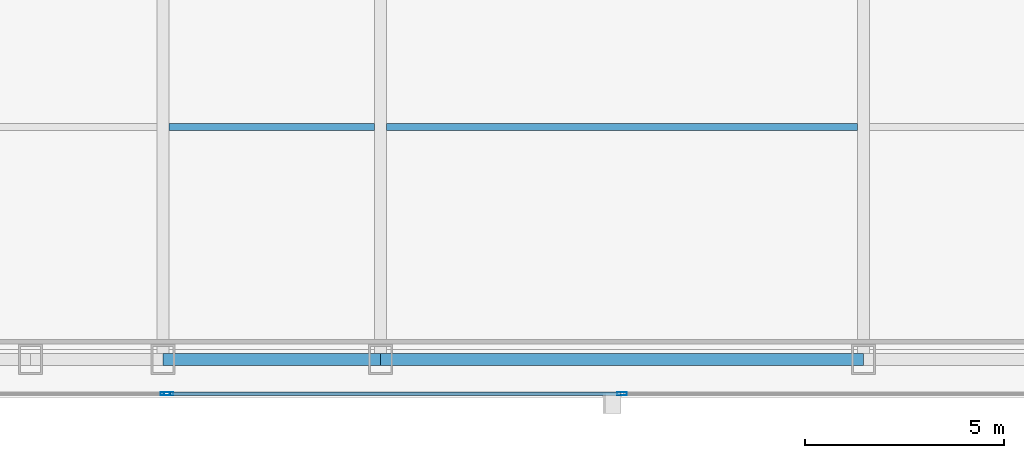
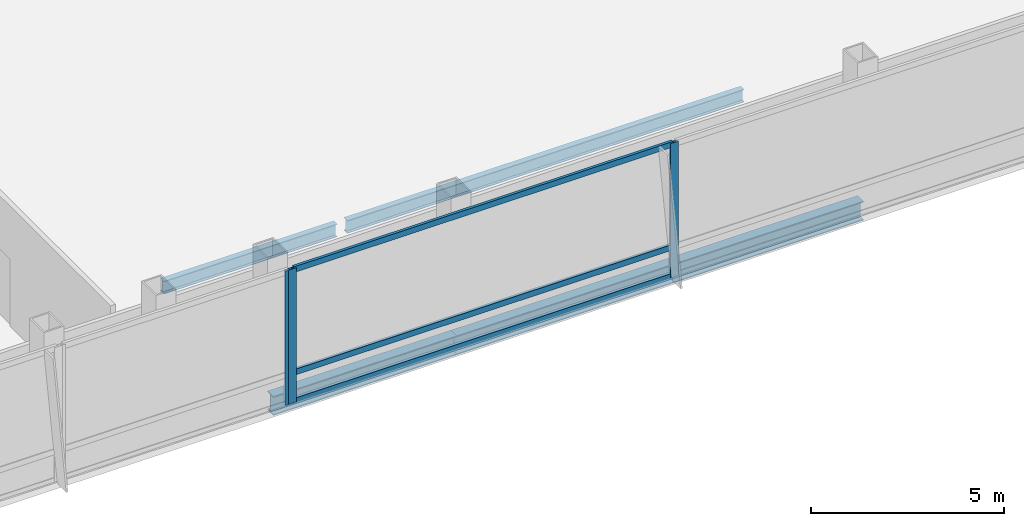
# One storey, part 8 of 28: 6 members, 4 beams, 2 elements without a shape of their own.
"""IFC4 building model written with IfcOpenShell, lengths in metres."""

from ifc_helpers import new_model, si_unit, direction, frame, origin, origin_2d, place, context, subcontext, project, spatial, hollow_rectangle, i_section, extrude, material, material_profile, profile_set, type_object, element, aggregate, save


model = new_model("IFC4")

# Units and contexts
model_context = context("Model", 3, precision=1e-05, world=origin(), true_north=direction((0.0, 1.0)))
body_context = subcontext(model_context, "Body", "Model", "MODEL_VIEW")
ifc_project = project(units=[si_unit("LENGTHUNIT", "METRE"), si_unit("AREAUNIT", "SQUARE_METRE"), si_unit("VOLUMEUNIT", "CUBIC_METRE"), si_unit("PLANEANGLEUNIT", "RADIAN"), si_unit("MASSUNIT", "GRAM", prefix="KILO")], contexts=[model_context])

# Site, building, storey
site_placement = place(None, origin())
site = spatial("IfcSite", under=ifc_project, at=site_placement, CompositionType="ELEMENT")
building_placement = place(site_placement, origin())
building = spatial("IfcBuilding", under=site, at=building_placement, Name="Khoronbel Lancet Exchange", CompositionType="ELEMENT")
storey_placement = place(building_placement, frame((0.0, 0.0, 265.39990234375)))
storey = spatial("IfcBuildingStorey", under=building, at=storey_placement, Name="L68", CompositionType="ELEMENT", Elevation=265.39990234375)

# Beams
ifc_material_1 = material(Name="Steel S355", Category="steel")
ifc_material_profile_1 = material_profile(ifc_material_1, i_section(OverallWidth=0.179931640625, OverallDepth=0.39990234375, WebThickness=0.008544921875, FlangeThickness=0.013427734375, at=origin_2d()), Name="IPE 400")
ifc_profile_set_1 = profile_set([ifc_material_profile_1], Name="Steel S355")
beam_type_1 = type_object("IfcBeamType", Name="BM-BJ5", PredefinedType="JOIST", material=ifc_profile_set_1)
beam_1_placement = place(storey_placement, frame((25.050048828125, 16.0, -0.39990234375), z_axis=(1.0, 0.0, 0.0), x_axis=(0.0, 1.0, 0.0)))
element("IfcBeam", 1, at=beam_1_placement, inside=storey, type_object=beam_type_1, Name="Level L68 secondary composite joist J02", PredefinedType="JOIST", context=body_context, shape_type="SweptSolid", body=[
    extrude(i_section(OverallWidth=0.179931640625, OverallDepth=0.39990234375, WebThickness=0.008544921875, FlangeThickness=0.013427734375, at=origin_2d()), origin(), (0.0, 0.0, 1.0), 5.175048828125),
])
beam_2_placement = place(storey_placement, frame((30.52490234375, 16.0, -0.39990234375), z_axis=(1.0, 0.0, 0.0), x_axis=(0.0, 1.0, 0.0)))
element("IfcBeam", 2, at=beam_2_placement, inside=storey, type_object=beam_type_1, Name="Level L68 secondary composite joist J03", PredefinedType="JOIST", context=body_context, shape_type="SweptSolid", body=[
    extrude(i_section(OverallWidth=0.179931640625, OverallDepth=0.39990234375, WebThickness=0.008544921875, FlangeThickness=0.013427734375, at=origin_2d()), origin(), (0.0, 0.0, 1.0), 11.85009765625),
])
ifc_material_profile_2 = material_profile(ifc_material_1, i_section(OverallWidth=0.300048828125, OverallDepth=0.60009765625, WebThickness=0.015380859375, FlangeThickness=0.030029296875, at=origin_2d()), Name="HEB 600")
ifc_profile_set_2 = profile_set([ifc_material_profile_2], Name="Steel S355")
beam_type_2 = type_object("IfcBeamType", Name="BM-BSP2", PredefinedType="SPANDREL", material=ifc_profile_set_2)
beam_3_placement = place(storey_placement, frame((24.89990234375, 10.14990234375, -0.5), z_axis=(1.0, 0.0, 0.0), x_axis=(0.0, 1.0, 0.0)))
element("IfcBeam", 3, at=beam_3_placement, inside=storey, type_object=beam_type_2, Name="Level L68 perimeter spandrel beam SP04", PredefinedType="SPANDREL", context=body_context, shape_type="SweptSolid", body=[
    extrude(i_section(OverallWidth=0.300048828125, OverallDepth=0.60009765625, WebThickness=0.015380859375, FlangeThickness=0.030029296875, at=origin_2d()), origin(), (0.0, 0.0, 1.0), 5.47509765625),
])
beam_4_placement = place(storey_placement, frame((30.375, 10.14990234375, -0.5), z_axis=(1.0, 0.0, 0.0), x_axis=(0.0, 1.0, 0.0)))
element("IfcBeam", 4, at=beam_4_placement, inside=storey, type_object=beam_type_2, Name="Level L68 perimeter spandrel beam SP05", PredefinedType="SPANDREL", context=body_context, shape_type="SweptSolid", body=[
    extrude(i_section(OverallWidth=0.300048828125, OverallDepth=0.60009765625, WebThickness=0.015380859375, FlangeThickness=0.030029296875, at=origin_2d()), origin(), (0.0, 0.0, 1.0), 12.14990234375),
])

# Curtain wall, member
ifc_material_2 = material(Name="Low-E Solar Control Insulating Glass", Category="glass")
curtain_wall_type = type_object("IfcCurtainWallType", Name="CW-3", PredefinedType="NOTDEFINED", material=ifc_material_2)
curtain_wall_1_placement = place(storey_placement, origin())
curtain_wall_1 = element("IfcCurtainWall", 5, at=curtain_wall_1_placement, inside=storey, type_object=curtain_wall_type, Name="Unitised curtain wall CW-L68-SWB", PredefinedType="NOTDEFINED")
ifc_material_3 = material(Name="Bronze-Anodised Aluminium 6063-T6", Category="aluminium")
ifc_material_profile_3 = material_profile(ifc_material_3, hollow_rectangle(XDim=0.0849609375, YDim=0.239990234375, WallThickness=0.006103515625, at=origin_2d()), Name="ALU MULLION 85x240")
ifc_profile_set_3 = profile_set([ifc_material_profile_3], Name="Bronze-Anodised Aluminium 6063-T6")
member_type_1 = type_object("IfcMemberType", Name="MEM-CWM1", PredefinedType="MULLION", material=ifc_profile_set_3)
member_1_placement = place(storey_placement, frame((24.95751953125, 9.2900390625, 0.0), z_axis=(0.0, 0.0, 1.0), x_axis=(0.0, 1.0, 0.0)))
member_1 = element("IfcMember", 6, at=member_1_placement, type_object=member_type_1, Name="CW3 mullion 2", PredefinedType="MULLION", context=body_context, shape_type="SweptSolid", body=[
    extrude(hollow_rectangle(XDim=0.0849609375, YDim=0.239990234375, WallThickness=0.006103515625, at=origin_2d()), origin(), (0.0, 0.0, 1.0), 4.239990234375),
])
aggregate(curtain_wall_1, [member_1])

# Curtain wall, members
curtain_wall_2_placement = place(storey_placement, origin())
curtain_wall_2 = element("IfcCurtainWall", 7, at=curtain_wall_2_placement, inside=storey, type_object=curtain_wall_type, Name="Unitised curtain wall CW-L68-SCV", PredefinedType="NOTDEFINED")
member_2_placement = place(storey_placement, frame((25.04248046875, 9.2900390625, 0.0), z_axis=(0.0, 0.0, 1.0), x_axis=(0.0, 1.0, 0.0)))
member_2 = element("IfcMember", 8, at=member_2_placement, type_object=member_type_1, Name="CW3 mullion 1", PredefinedType="MULLION", context=body_context, shape_type="SweptSolid", body=[
    extrude(hollow_rectangle(XDim=0.0849609375, YDim=0.239990234375, WallThickness=0.006103515625, at=origin_2d()), origin(), (0.0, 0.0, 1.0), 4.239990234375),
])
member_3_placement = place(storey_placement, frame((36.449951171875, 9.2900390625, 0.0), z_axis=(0.0, 0.0, 1.0), x_axis=(0.0, 1.0, 0.0)))
member_3 = element("IfcMember", 9, at=member_3_placement, type_object=member_type_1, Name="CW3 mullion 2", PredefinedType="MULLION", context=body_context, shape_type="SweptSolid", body=[
    extrude(hollow_rectangle(XDim=0.0849609375, YDim=0.239990234375, WallThickness=0.006103515625, at=origin_2d()), origin(), (0.0, 0.0, 1.0), 4.239990234375),
])
ifc_material_profile_4 = material_profile(ifc_material_3, hollow_rectangle(XDim=0.0849609375, YDim=0.179931640625, WallThickness=0.0048828125, at=origin_2d()), Name="ALU TRANSOM 85x180")
ifc_profile_set_4 = profile_set([ifc_material_profile_4], Name="Bronze-Anodised Aluminium 6063-T6")
member_type_2 = type_object("IfcMemberType", Name="MEM-CWT1", PredefinedType="USERDEFINED", material=ifc_profile_set_4)
member_4_placement = place(storey_placement, frame((25.0849609375, 9.2900390625, 0.04248046875), z_axis=(1.0, 0.0, 0.0), x_axis=(0.0, 1.0, 0.0)))
member_4 = element("IfcMember", 10, at=member_4_placement, type_object=member_type_2, Name="CW3 transom 1.1", ObjectType="TRANSOM", PredefinedType="USERDEFINED", context=body_context, shape_type="SweptSolid", body=[
    extrude(hollow_rectangle(XDim=0.0849609375, YDim=0.179931640625, WallThickness=0.0048828125, at=origin_2d()), origin(), (0.0, 0.0, 1.0), 11.322509765625),
])
member_5_placement = place(storey_placement, frame((25.0849609375, 9.2900390625, 0.9501953125), z_axis=(1.0, 0.0, 0.0), x_axis=(0.0, 1.0, 0.0)))
member_5 = element("IfcMember", 11, at=member_5_placement, type_object=member_type_2, Name="CW3 transom 1.2", ObjectType="TRANSOM", PredefinedType="USERDEFINED", context=body_context, shape_type="SweptSolid", body=[
    extrude(hollow_rectangle(XDim=0.0849609375, YDim=0.179931640625, WallThickness=0.0048828125, at=origin_2d()), origin(), (0.0, 0.0, 1.0), 11.322509765625),
])
member_6_placement = place(storey_placement, frame((25.0849609375, 9.2900390625, 4.197509765625), z_axis=(1.0, 0.0, 0.0), x_axis=(0.0, 1.0, 0.0)))
member_6 = element("IfcMember", 12, at=member_6_placement, type_object=member_type_2, Name="CW3 transom 1.3", ObjectType="TRANSOM", PredefinedType="USERDEFINED", context=body_context, shape_type="SweptSolid", body=[
    extrude(hollow_rectangle(XDim=0.0849609375, YDim=0.179931640625, WallThickness=0.0048828125, at=origin_2d()), origin(), (0.0, 0.0, 1.0), 11.322509765625),
])
aggregate(curtain_wall_2, [member_2, member_3, member_4, member_5, member_6])

save(model, "model.ifc")
